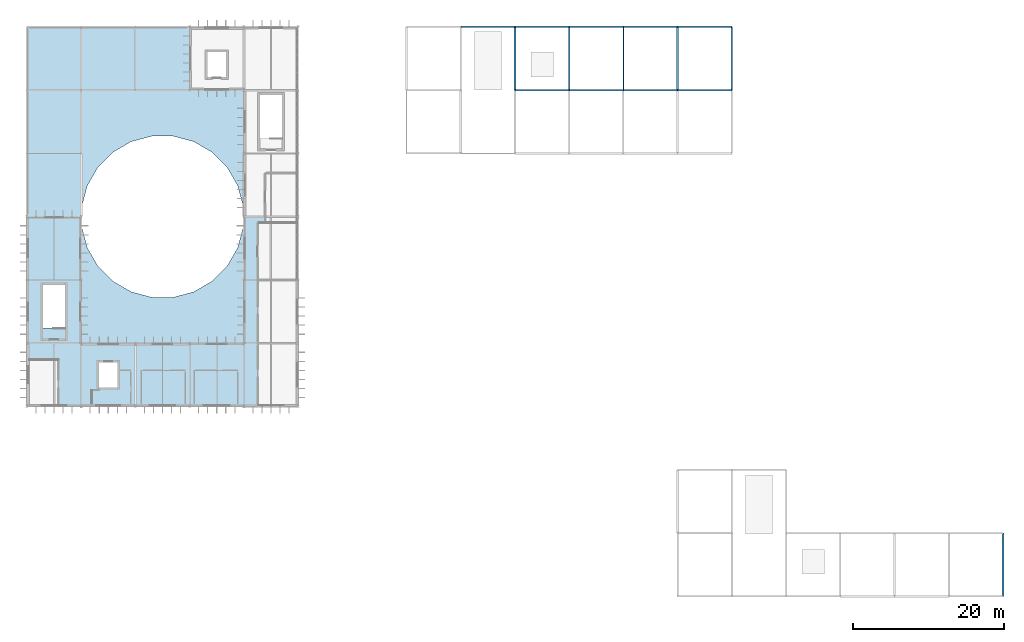
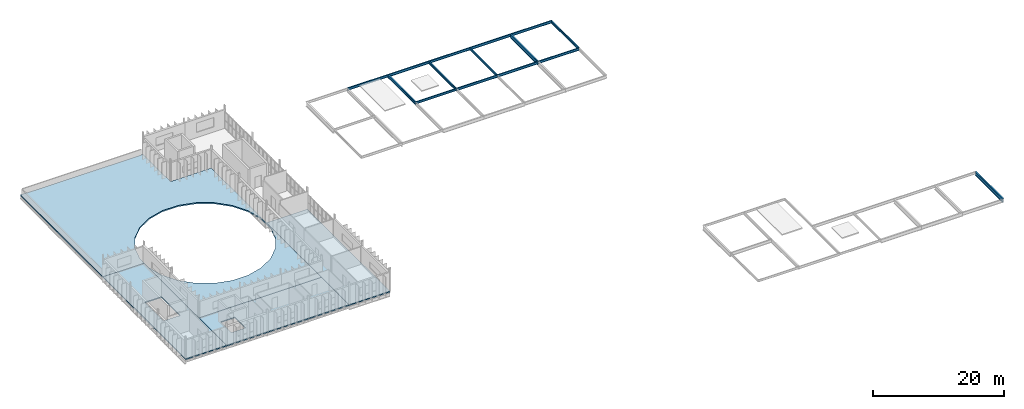
# One storey, part 11 of 18: 15 beams, 4 slabs.
"""IFC4 building model written with IfcOpenShell, lengths in metres."""

from ifc_helpers import new_model, si_unit, direction, frame, origin, origin_2d, place, context, subcontext, project, spatial, polyline, i_section, outline, extrude, material, layer, layer_set, material_profile, profile_set, type_object, element, save


model = new_model("IFC4")

# Units and contexts
model_context = context("Model", 3, precision=1e-05, world=origin(), true_north=direction((0.0, 1.0)))
body_context = subcontext(model_context, "Body", "Model", "MODEL_VIEW")
ifc_project = project(units=[si_unit("LENGTHUNIT", "METRE"), si_unit("AREAUNIT", "SQUARE_METRE"), si_unit("VOLUMEUNIT", "CUBIC_METRE"), si_unit("PLANEANGLEUNIT", "RADIAN"), si_unit("MASSUNIT", "GRAM", prefix="KILO")], contexts=[model_context])

# Site, building, storey
site_placement = place(None, origin())
site = spatial("IfcSite", under=ifc_project, at=site_placement, CompositionType="ELEMENT")
building_placement = place(site_placement, origin())
building = spatial("IfcBuilding", under=site, at=building_placement, Name="Qelthora Terrace Specialist Clinic", CompositionType="ELEMENT")
storey_placement = place(building_placement, frame((0.0, 0.0, 21.60009765625)))
storey = spatial("IfcBuildingStorey", under=building, at=storey_placement, Name="L05", CompositionType="ELEMENT", Elevation=21.60009765625)

# Beams
ifc_material_1 = material(Name="Steel S355", Category="steel")
ifc_material_profile_1 = material_profile(ifc_material_1, i_section(OverallWidth=0.179931640625, OverallDepth=0.4130859375, WebThickness=0.009765625, FlangeThickness=0.01611328125, FilletRadius=0.011962890625, at=origin_2d()), Name="W410X75")
ifc_profile_set_1 = profile_set([ifc_material_profile_1], Name="Steel S355")
beam_type_1 = type_object("IfcBeamType", Name="BM-W410X75", PredefinedType="BEAM", material=ifc_profile_set_1)
beam_1_placement = place(storey_placement, frame((72.0, 100.800048828125, -0.45654296875), z_axis=(1.0, 0.0, 0.0), x_axis=(0.0, 1.0, 0.0)))
element("IfcBeam", 1, at=beam_1_placement, inside=storey, type_object=beam_type_1, Name="Girder BMX-L05-1327", PredefinedType="BEAM", context=body_context, shape_type="SweptSolid", body=[
    extrude(i_section(OverallWidth=0.179931640625, OverallDepth=0.4130859375, WebThickness=0.009765625, FlangeThickness=0.01611328125, FilletRadius=0.011962890625, at=origin_2d()), origin(), (0.0, 0.0, 1.0), 7.199951171875),
])
beam_2_placement = place(storey_placement, frame((86.39990234375, 100.800048828125, -0.45654296875), z_axis=(0.0, 1.0, 0.0), x_axis=(-1.0, 0.0, 0.0)))
element("IfcBeam", 2, at=beam_2_placement, inside=storey, type_object=beam_type_1, Name="Girder BMY-L05-1379", PredefinedType="BEAM", context=body_context, shape_type="SweptSolid", body=[
    extrude(i_section(OverallWidth=0.179931640625, OverallDepth=0.4130859375, WebThickness=0.009765625, FlangeThickness=0.01611328125, FilletRadius=0.011962890625, at=origin_2d()), origin(), (0.0, 0.0, 1.0), 8.39990234375),
])
ifc_material_profile_2 = material_profile(ifc_material_1, i_section(OverallWidth=0.19091796875, OverallDepth=0.4599609375, WebThickness=0.010009765625, FlangeThickness=0.01611328125, FilletRadius=0.012939453125, at=origin_2d()), Name="W460X82")
ifc_profile_set_2 = profile_set([ifc_material_profile_2], Name="Steel S355")
beam_type_2 = type_object("IfcBeamType", Name="BM-W460X82", PredefinedType="BEAM", material=ifc_profile_set_2)
beam_3_placement = place(storey_placement, frame((79.199951171875, 100.800048828125, -0.47998046875), z_axis=(1.0, 0.0, 0.0), x_axis=(0.0, 1.0, 0.0)))
element("IfcBeam", 3, at=beam_3_placement, inside=storey, type_object=beam_type_2, Name="Girder BMX-L05-1328", PredefinedType="BEAM", context=body_context, shape_type="SweptSolid", body=[
    extrude(i_section(OverallWidth=0.19091796875, OverallDepth=0.4599609375, WebThickness=0.010009765625, FlangeThickness=0.01611328125, FilletRadius=0.012939453125, at=origin_2d()), origin(), (0.0, 0.0, 1.0), 7.199951171875),
])
beam_4_placement = place(storey_placement, frame((86.39990234375, 100.800048828125, -0.47998046875), z_axis=(1.0, 0.0, 0.0), x_axis=(0.0, 1.0, 0.0)))
element("IfcBeam", 4, at=beam_4_placement, inside=storey, type_object=beam_type_2, Name="Girder BMX-L05-1329", PredefinedType="BEAM", context=body_context, shape_type="SweptSolid", body=[
    extrude(i_section(OverallWidth=0.19091796875, OverallDepth=0.4599609375, WebThickness=0.010009765625, FlangeThickness=0.01611328125, FilletRadius=0.012939453125, at=origin_2d()), origin(), (0.0, 0.0, 1.0), 7.2001953125),
])
beam_5_placement = place(storey_placement, frame((93.60009765625, 100.800048828125, -0.47998046875), z_axis=(1.0, 0.0, 0.0), x_axis=(0.0, 1.0, 0.0)))
element("IfcBeam", 5, at=beam_5_placement, inside=storey, type_object=beam_type_2, Name="Girder BMX-L05-1330", PredefinedType="BEAM", context=body_context, shape_type="SweptSolid", body=[
    extrude(i_section(OverallWidth=0.19091796875, OverallDepth=0.4599609375, WebThickness=0.010009765625, FlangeThickness=0.01611328125, FilletRadius=0.012939453125, at=origin_2d()), origin(), (0.0, 0.0, 1.0), 7.199951171875),
])
ifc_material_profile_3 = material_profile(ifc_material_1, i_section(OverallWidth=0.193115234375, OverallDepth=0.466064453125, WebThickness=0.011474609375, FlangeThickness=0.01904296875, FilletRadius=0.012939453125, at=origin_2d()), Name="W460X97")
ifc_profile_set_3 = profile_set([ifc_material_profile_3], Name="Steel S355")
beam_type_3 = type_object("IfcBeamType", Name="BM-W460X97", PredefinedType="BEAM", material=ifc_profile_set_3)
for number, where, z_axis, x_axis, name in (
    (6, (79.199951171875, 100.800048828125, -0.483154296875), (0.0, 1.0, 0.0), (-1.0, 0.0, 0.0), "Girder BMY-L05-1377"),
    (7, (100.800048828125, 100.800048828125, -0.483154296875), (0.0, 1.0, 0.0), (-1.0, 0.0, 0.0), "Girder BMY-L05-1387"),
):
    element("IfcBeam", number, at=place(storey_placement, frame(where, z_axis=z_axis, x_axis=x_axis)), inside=storey, type_object=beam_type_3, Name=name, PredefinedType="BEAM", context=body_context, shape_type="SweptSolid", body=[
        extrude(i_section(OverallWidth=0.193115234375, OverallDepth=0.466064453125, WebThickness=0.011474609375, FlangeThickness=0.01904296875, FilletRadius=0.012939453125, at=origin_2d()), origin(), (0.0, 0.0, 1.0), 8.39990234375),
    ])
ifc_material_profile_4 = material_profile(ifc_material_1, i_section(OverallWidth=0.2119140625, OverallDepth=0.5439453125, WebThickness=0.01318359375, FlangeThickness=0.021240234375, FilletRadius=0.013916015625, at=origin_2d()), Name="W530X123")
ifc_profile_set_4 = profile_set([ifc_material_profile_4], Name="Steel S355")
beam_type_4 = type_object("IfcBeamType", Name="BM-W530X123", PredefinedType="BEAM", material=ifc_profile_set_4)
beam_6_placement = place(storey_placement, frame((72.0, 100.800048828125, -0.522216796875), z_axis=(0.0, 1.0, 0.0), x_axis=(-1.0, 0.0, 0.0)))
element("IfcBeam", 8, at=beam_6_placement, inside=storey, type_object=beam_type_4, Name="Girder BMY-L05-1375", PredefinedType="BEAM", context=body_context, shape_type="SweptSolid", body=[
    extrude(i_section(OverallWidth=0.2119140625, OverallDepth=0.5439453125, WebThickness=0.01318359375, FlangeThickness=0.021240234375, FilletRadius=0.013916015625, at=origin_2d()), origin(), (0.0, 0.0, 1.0), 8.39990234375),
])
ifc_material_profile_5 = material_profile(ifc_material_1, i_section(OverallWidth=0.256103515625, OverallDepth=0.693115234375, WebThickness=0.014404296875, FlangeThickness=0.023681640625, FilletRadius=0.01806640625, at=origin_2d()), Name="W690X170")
ifc_profile_set_5 = profile_set([ifc_material_profile_5], Name="Steel S355")
beam_type_5 = type_object("IfcBeamType", Name="BM-W690X170", PredefinedType="BEAM", material=ifc_profile_set_5)
for number, where, z_axis, x_axis, name in (
    (9, (93.60009765625, 100.800048828125, -0.5966796875), (0.0, 1.0, 0.0), (-1.0, 0.0, 0.0), "Girder BMY-L05-1383"),
    (10, (136.800048828125, 33.60009765625, -0.5966796875), (0.0, 1.0, 0.0), (-1.0, 0.0, 0.0), "Girder BMY-L05-1393"),
):
    element("IfcBeam", number, at=place(storey_placement, frame(where, z_axis=z_axis, x_axis=x_axis)), inside=storey, type_object=beam_type_5, Name=name, PredefinedType="BEAM", context=body_context, shape_type="SweptSolid", body=[
        extrude(i_section(OverallWidth=0.256103515625, OverallDepth=0.693115234375, WebThickness=0.014404296875, FlangeThickness=0.023681640625, FilletRadius=0.01806640625, at=origin_2d()), origin(), (0.0, 0.0, 1.0), 8.39990234375),
    ])
ifc_material_profile_6 = material_profile(ifc_material_1, i_section(OverallWidth=0.19091796875, OverallDepth=0.4599609375, WebThickness=0.010009765625, FlangeThickness=0.01611328125, FilletRadius=0.012939453125, at=origin_2d()), Name="W460X82")
ifc_profile_set_6 = profile_set([ifc_material_profile_6], Name="Steel S355")
beam_type_6 = type_object("IfcBeamType", Name="SPD-W460X82", PredefinedType="SPANDREL", material=ifc_profile_set_6)
for number, where, z_axis, x_axis, name in (
    (11, (64.800048828125, 109.199951171875, -0.47998046875), (1.0, 0.0, 0.0), (0.0, 1.0, 0.0), "Girder BMX-L05-1337"),
    (12, (72.0, 109.199951171875, -0.47998046875), (1.0, 0.0, 0.0), (0.0, 1.0, 0.0), "Girder BMX-L05-1338"),
    (13, (79.199951171875, 109.199951171875, -0.47998046875), (1.0, 0.0, 0.0), (0.0, 1.0, 0.0), "Girder BMX-L05-1339"),
):
    element("IfcBeam", number, at=place(storey_placement, frame(where, z_axis=z_axis, x_axis=x_axis)), inside=storey, type_object=beam_type_6, Name=name, PredefinedType="SPANDREL", context=body_context, shape_type="SweptSolid", body=[
        extrude(i_section(OverallWidth=0.19091796875, OverallDepth=0.4599609375, WebThickness=0.010009765625, FlangeThickness=0.01611328125, FilletRadius=0.012939453125, at=origin_2d()), origin(), (0.0, 0.0, 1.0), 7.199951171875),
    ])
beam_7_placement = place(storey_placement, frame((86.39990234375, 109.199951171875, -0.47998046875), z_axis=(1.0, 0.0, 0.0), x_axis=(0.0, 1.0, 0.0)))
element("IfcBeam", 14, at=beam_7_placement, inside=storey, type_object=beam_type_6, Name="Girder BMX-L05-1340", PredefinedType="SPANDREL", context=body_context, shape_type="SweptSolid", body=[
    extrude(i_section(OverallWidth=0.19091796875, OverallDepth=0.4599609375, WebThickness=0.010009765625, FlangeThickness=0.01611328125, FilletRadius=0.012939453125, at=origin_2d()), origin(), (0.0, 0.0, 1.0), 7.2001953125),
])
beam_8_placement = place(storey_placement, frame((93.60009765625, 109.199951171875, -0.47998046875), z_axis=(1.0, 0.0, 0.0), x_axis=(0.0, 1.0, 0.0)))
element("IfcBeam", 15, at=beam_8_placement, inside=storey, type_object=beam_type_6, Name="Girder BMX-L05-1341", PredefinedType="SPANDREL", context=body_context, shape_type="SweptSolid", body=[
    extrude(i_section(OverallWidth=0.19091796875, OverallDepth=0.4599609375, WebThickness=0.010009765625, FlangeThickness=0.01611328125, FilletRadius=0.012939453125, at=origin_2d()), origin(), (0.0, 0.0, 1.0), 7.199951171875),
])

# Slabs
ifc_material_2 = material(Name="Concrete C30/37", Category="concrete")
ifc_layer_1 = layer(ifc_material_2, 0.2099609375)
ifc_layer_set_1 = layer_set([ifc_layer_1], Name="Concrete C30/37")
slab_type_1 = type_object("IfcSlabType", Name="SLB-FLR-210-C30", PredefinedType="FLOOR", material=ifc_layer_set_1)
slab_1_placement = place(storey_placement, frame((0.0, 0.0, -0.210205078125)))
element("IfcSlab", 16, at=slab_1_placement, inside=storey, type_object=slab_type_1, Name="L05 V5 slab SLB-L05-V5A1", PredefinedType="FLOOR", context=body_context, shape_type="SweptSolid", body=[
    extrude(outline(polyline([(7.199951171875, 84.0), (14.39990234375, 84.0), (14.39990234375, 58.800048828125), (7.199951171875, 58.800048828125), (7.199951171875, 84.0)]), holes=[polyline([(9.35009765625, 74.949951171875), (9.35009765625, 69.20068359375), (12.25, 69.20068359375), (12.25, 74.949951171875), (9.35009765625, 74.949951171875)])]), origin(), (0.0, 0.0, 1.0), 0.210205078125),
])
slab_2_placement = place(storey_placement, frame((0.0, 0.0, -0.210205078125)))
element("IfcSlab", 17, at=slab_2_placement, inside=storey, type_object=slab_type_1, Name="L05 V5 slab SLB-L05-V5A2", PredefinedType="FLOOR", context=body_context, shape_type="SweptSolid", body=[
    extrude(outline(polyline([(14.39990234375, 67.199951171875), (36.0, 67.199951171875), (36.0, 58.800048828125), (14.39990234375, 58.800048828125), (14.39990234375, 67.199951171875)]), holes=[polyline([(16.75, 64.64990234375), (16.75, 61.35009765625), (19.25, 61.35009765625), (19.25, 64.64990234375), (16.75, 64.64990234375)])]), origin(), (0.0, 0.0, 1.0), 0.210205078125),
])
slab_3_placement = place(storey_placement, frame((0.0, 0.0, -0.210205078125)))
element("IfcSlab", 18, at=slab_3_placement, inside=storey, type_object=slab_type_1, Name="L05 V5 slab SLB-L05-V5B1", PredefinedType="FLOOR", context=body_context, shape_type="SweptSolid", body=[
    extrude(outline(polyline([(36.0, 84.0), (43.199951171875, 84.0), (43.199951171875, 58.800048828125), (36.0, 58.800048828125), (36.0, 84.0)])), origin(), (0.0, 0.0, 1.0), 0.210205078125),
])
ifc_layer_2 = layer(ifc_material_2, 0.22509765625)
ifc_layer_set_2 = layer_set([ifc_layer_2], Name="Concrete C30/37")
slab_type_2 = type_object("IfcSlabType", Name="SLB-ROOF-170-ZINC", PredefinedType="ROOF", material=ifc_layer_set_2)
slab_4_placement = place(storey_placement, frame((0.0, 0.0, -0.22509765625)))
element("IfcSlab", 19, at=slab_4_placement, inside=storey, type_object=slab_type_2, Name="Stepped wing roof slab ROOF-V5-STP5B-1", PredefinedType="ROOF", context=body_context, shape_type="SweptSolid", body=[
    extrude(outline(polyline([(28.800048828125, 100.800048828125), (36.0, 100.800048828125), (36.0, 67.199951171875), (14.39990234375, 67.199951171875), (14.39990234375, 84.0), (7.199951171875, 84.0), (7.199951171875, 109.199951171875), (28.800048828125, 109.199951171875), (28.800048828125, 100.800048828125)]), holes=[polyline([(35.177978515625, 88.133056640625), (33.768310546875, 90.57470703125), (31.774658203125, 92.568115234375), (29.3330078125, 93.977783203125), (26.609619140625, 94.70751953125), (23.790283203125, 94.70751953125), (21.067138671875, 93.977783203125), (18.62548828125, 92.568115234375), (16.6318359375, 90.57470703125), (15.22216796875, 88.133056640625), (14.492431640625, 85.40966796875), (14.492431640625, 82.59033203125), (15.22216796875, 79.866943359375), (16.6318359375, 77.42529296875), (18.62548828125, 75.431884765625), (21.067138671875, 74.022216796875), (23.790283203125, 73.29248046875), (26.609619140625, 73.29248046875), (29.3330078125, 74.022216796875), (31.774658203125, 75.431884765625), (33.768310546875, 77.42529296875), (35.177978515625, 79.866943359375), (35.90771484375, 82.59033203125), (35.90771484375, 85.40966796875), (35.177978515625, 88.133056640625)])]), origin(), (0.0, 0.0, 1.0), 0.22509765625),
])

save(model, "model.ifc")
